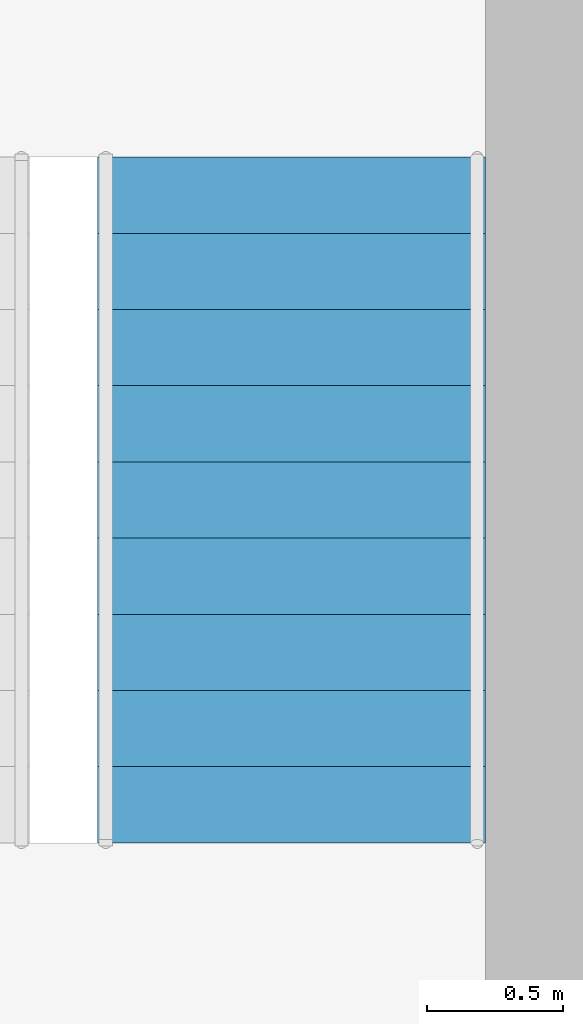
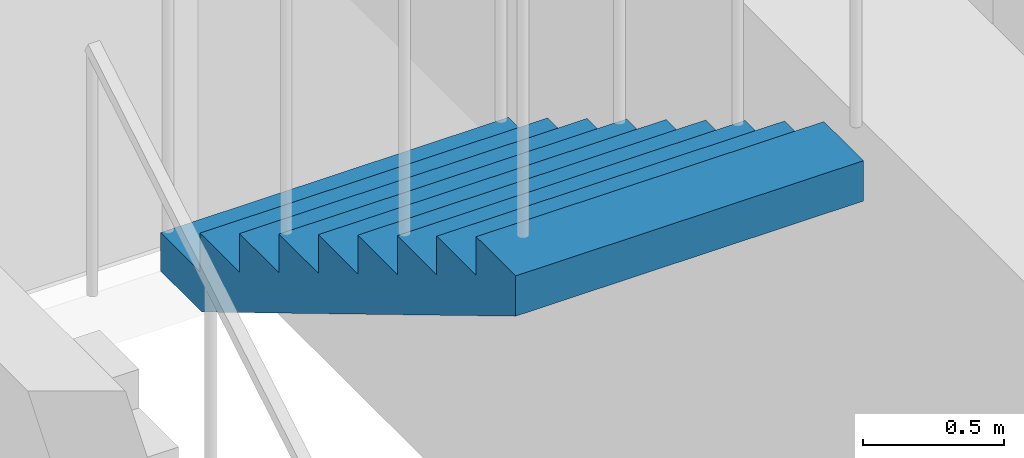
# One storey, part 22 of 23: 1 stair flight, 1 element without a shape of its own.
"""IFC4 building model written with IfcOpenShell, lengths in metres."""

from ifc_helpers import new_model, si_unit, direction, frame, origin, place, context, subcontext, project, spatial, polyline, outline, extrude, material, type_object, element, aggregate, save


model = new_model("IFC4")

# Units and contexts
model_context = context("Model", 3, precision=1e-05, world=origin(), true_north=direction((0.0, 1.0)))
body_context = subcontext(model_context, "Body", "Model", "MODEL_VIEW")
ifc_project = project(units=[si_unit("LENGTHUNIT", "METRE"), si_unit("AREAUNIT", "SQUARE_METRE"), si_unit("VOLUMEUNIT", "CUBIC_METRE"), si_unit("PLANEANGLEUNIT", "RADIAN"), si_unit("MASSUNIT", "GRAM", prefix="KILO")], contexts=[model_context])

# Site, building, storey
site_placement = place(None, origin())
site = spatial("IfcSite", under=ifc_project, at=site_placement, CompositionType="ELEMENT")
building_placement = place(site_placement, origin())
building = spatial("IfcBuilding", under=site, at=building_placement, Name="Jalousie Tower", CompositionType="ELEMENT")
storey_placement = place(building_placement, frame((0.0, 0.0, 171.10009765625)))
storey = spatial("IfcBuildingStorey", under=building, at=storey_placement, Name="L46", CompositionType="ELEMENT", Elevation=171.10009765625)

# Stair, stair flight
ifc_material_1 = material(Name="Concrete f'c 40 MPa", Category="concrete")
stair_type = type_object("IfcStairType", Name="EXIT STAIR", PredefinedType="HALF_TURN_STAIR", material=ifc_material_1)
stair_placement = place(storey_placement, origin())
stair = element("IfcStair", 1, at=stair_placement, inside=storey, type_object=stair_type, Name="Exit stair B L46", PredefinedType="HALF_TURN_STAIR")
ifc_material_2 = material(Name="Concrete f'c 40 MPa", Category="concrete")
stair_flight_type = type_object("IfcStairFlightType", Name="STAIR FLIGHT", PredefinedType="STRAIGHT", material=ifc_material_2)
stair_flight_placement = place(storey_placement, frame((42.737548828125, 24.0224609375, 1.6748046875), z_axis=(0.0, 0.0, 1.0), x_axis=(0.0, -1.0, 0.0)))
stair_flight = element("IfcStairFlight", 2, at=stair_flight_placement, type_object=stair_flight_type, Name="ST-B flight 2", NumberOfRisers=10, NumberOfTreads=9, PredefinedType="STRAIGHT", RiserHeight=0.1675, TreadLength=0.28, context=body_context, shape_type="SweptSolid", body=[
    extrude(outline(polyline([(0.0, 0.0), (0.0, 0.16748046875), (0.280029296875, 0.16748046875), (0.280029296875, 0.3349609375), (0.56005859375, 0.3349609375), (0.56005859375, 0.50244140625), (0.840087890625, 0.50244140625), (0.840087890625, 0.669921875), (1.1201171875, 0.669921875), (1.1201171875, 0.83740234375), (1.39990234375, 0.83740234375), (1.39990234375, 1.0048828125), (1.679931640625, 1.0048828125), (1.679931640625, 1.172607421875), (1.9599609375, 1.172607421875), (1.9599609375, 1.340087890625), (2.239990234375, 1.340087890625), (2.239990234375, 1.507568359375), (2.52001953125, 1.507568359375), (2.52001953125, 1.675048828125), (2.52001953125, 1.332763671875), (0.2919921875, 0.0), (0.0, 0.0)])), frame((0.0, 0.71240234375, 0.0), z_axis=(0.0, -1.0, 0.0), x_axis=(1.0, 0.0, 0.0)), (0.0, 0.0, 1.0), 1.425048828125),
])
aggregate(stair, [stair_flight])

save(model, "model.ifc")
